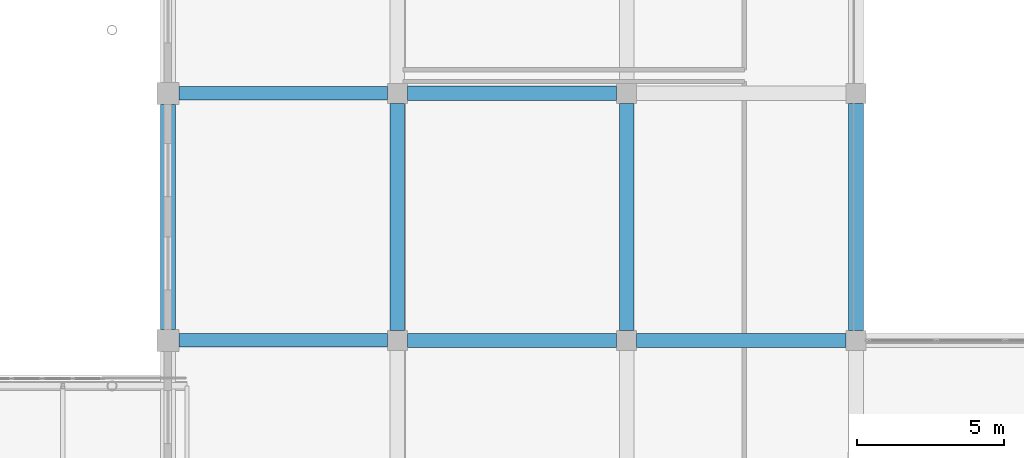
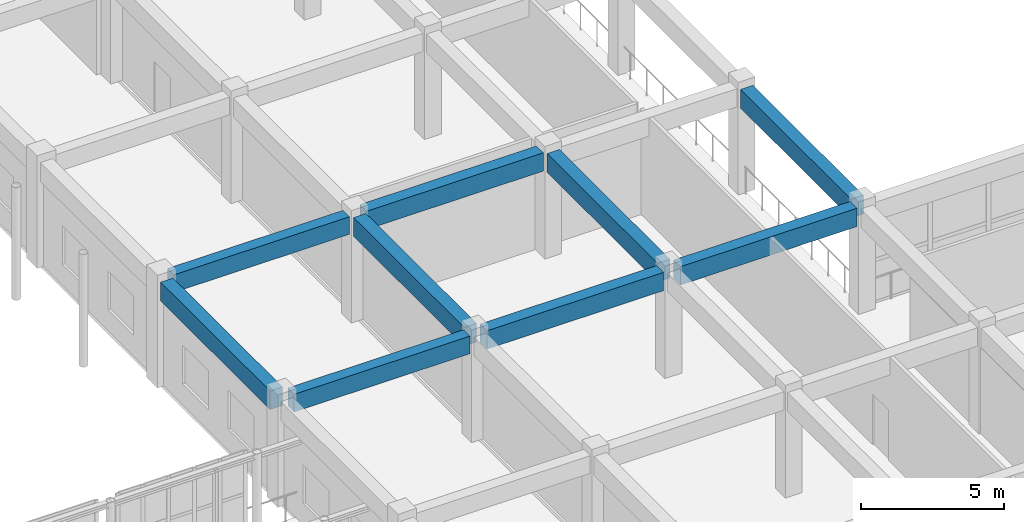
# One storey, part 99 of 175: 9 beams.
"""IFC4 building model written with IfcOpenShell, lengths in metres."""

from ifc_helpers import new_model, si_unit, direction, frame, origin, origin_2d, place, context, subcontext, project, spatial, rectangle, extrude, material, material_profile, profile_set, type_object, element, save


model = new_model("IFC4")

# Units and contexts
model_context = context("Model", 3, precision=1e-05, world=origin(), true_north=direction((0.0, 1.0)))
body_context = subcontext(model_context, "Body", "Model", "MODEL_VIEW")
ifc_project = project(units=[si_unit("LENGTHUNIT", "METRE"), si_unit("AREAUNIT", "SQUARE_METRE"), si_unit("VOLUMEUNIT", "CUBIC_METRE"), si_unit("PLANEANGLEUNIT", "RADIAN"), si_unit("MASSUNIT", "GRAM", prefix="KILO")], contexts=[model_context])

# Site, building, storey
site_placement = place(None, origin())
site = spatial("IfcSite", under=ifc_project, at=site_placement, CompositionType="ELEMENT")
building_placement = place(site_placement, origin())
building = spatial("IfcBuilding", under=site, at=building_placement, Name="Zizhar Promenade General Hospital", CompositionType="ELEMENT")
storey_placement = place(building_placement, frame((0.0, 0.0, 4.800048828125)))
storey = spatial("IfcBuildingStorey", under=building, at=storey_placement, Name="L01", CompositionType="ELEMENT", Elevation=4.800048828125)

# Beams
ifc_material_1 = material(Name="Concrete C35/45", Category="concrete")
ifc_material_profile_1 = material_profile(ifc_material_1, rectangle(XDim=0.449951171875, YDim=0.75, at=origin_2d()))
ifc_profile_set_1 = profile_set([ifc_material_profile_1], Name="Concrete C35/45")
beam_type_1 = type_object("IfcBeamType", Name="BM-RC-450x750", PredefinedType="BEAM", material=ifc_profile_set_1)
for number, where, z_axis, x_axis, name in (
    (1, (125.175048828125, 67.199951171875, 4.094970703125), (1.0, 0.0, 0.0), (0.0, 1.0, 0.0), "Grid Beam X L01 (16-8)"),
    (2, (125.175048828125, 75.60009765625, 4.094970703125), (1.0, 0.0, 0.0), (0.0, 1.0, 0.0), "Grid Beam X L01 (16-9)"),
):
    element("IfcBeam", number, at=place(storey_placement, frame(where, z_axis=z_axis, x_axis=x_axis)), inside=storey, type_object=beam_type_1, Name=name, PredefinedType="BEAM", context=body_context, shape_type="SweptSolid", body=[
        extrude(rectangle(XDim=0.449951171875, YDim=0.75, at=origin_2d()), origin(), (0.0, 0.0, 1.0), 7.0849609375),
    ])
ifc_material_2 = material(Name="Concrete C35/45", Category="concrete")
ifc_material_profile_2 = material_profile(ifc_material_2, rectangle(XDim=0.47998046875, YDim=0.780029296875, at=origin_2d()))
ifc_profile_set_2 = profile_set([ifc_material_profile_2], Name="Concrete C35/45")
beam_type_2 = type_object("IfcBeamType", Name="BM-RC-480x780", PredefinedType="BEAM", material=ifc_profile_set_2)
for number, where, z_axis, x_axis, name in (
    (3, (132.93994140625, 67.199951171875, 4.079833984375), (1.0, 0.0, 0.0), (0.0, 1.0, 0.0), "Grid Beam X L01 (17-8)"),
    (4, (132.93994140625, 75.60009765625, 4.079833984375), (1.0, 0.0, 0.0), (0.0, 1.0, 0.0), "Grid Beam X L01 (17-9)"),
    (5, (140.739990234375, 67.199951171875, 4.079833984375), (1.0, 0.0, 0.0), (0.0, 1.0, 0.0), "Grid Beam X L01 (18-8)"),
):
    element("IfcBeam", number, at=place(storey_placement, frame(where, z_axis=z_axis, x_axis=x_axis)), inside=storey, type_object=beam_type_2, Name=name, PredefinedType="BEAM", context=body_context, shape_type="SweptSolid", body=[
        extrude(rectangle(XDim=0.47998046875, YDim=0.780029296875, at=origin_2d()), origin(), (0.0, 0.0, 1.0), 7.1201171875),
    ])
ifc_material_3 = material(Name="Concrete C35/45", Category="concrete")
ifc_material_profile_3 = material_profile(ifc_material_3, rectangle(XDim=0.5, YDim=0.800048828125, at=origin_2d()))
ifc_profile_set_3 = profile_set([ifc_material_profile_3], Name="Concrete C35/45")
beam_type_3 = type_object("IfcBeamType", Name="BM-RC-500x800", PredefinedType="BEAM", material=ifc_profile_set_3)
beam_placement = place(storey_placement, frame((124.800048828125, 67.574951171875, 4.070068359375), z_axis=(0.0, 1.0, 0.0), x_axis=(-1.0, 0.0, 0.0)))
element("IfcBeam", 6, at=beam_placement, inside=storey, type_object=beam_type_3, Name="Grid Beam Y L01 (16-8)", PredefinedType="BEAM", context=body_context, shape_type="SweptSolid", body=[
    extrude(rectangle(XDim=0.5, YDim=0.800048828125, at=origin_2d()), origin(), (0.0, 0.0, 1.0), 7.650146484375),
])
for number, where, z_axis, x_axis, name in (
    (7, (132.60009765625, 67.5400390625, 4.070068359375), (0.0, 1.0, 0.0), (-1.0, 0.0, 0.0), "Grid Beam Y L01 (17-8)"),
    (8, (140.39990234375, 67.5400390625, 4.070068359375), (0.0, 1.0, 0.0), (-1.0, 0.0, 0.0), "Grid Beam Y L01 (18-8)"),
    (9, (148.199951171875, 67.5400390625, 4.070068359375), (0.0, 1.0, 0.0), (-1.0, 0.0, 0.0), "Grid Beam Y L01 (19-8)"),
):
    element("IfcBeam", number, at=place(storey_placement, frame(where, z_axis=z_axis, x_axis=x_axis)), inside=storey, type_object=beam_type_3, Name=name, PredefinedType="BEAM", context=body_context, shape_type="SweptSolid", body=[
        extrude(rectangle(XDim=0.5, YDim=0.800048828125, at=origin_2d()), origin(), (0.0, 0.0, 1.0), 7.719970703125),
    ])

save(model, "model.ifc")
